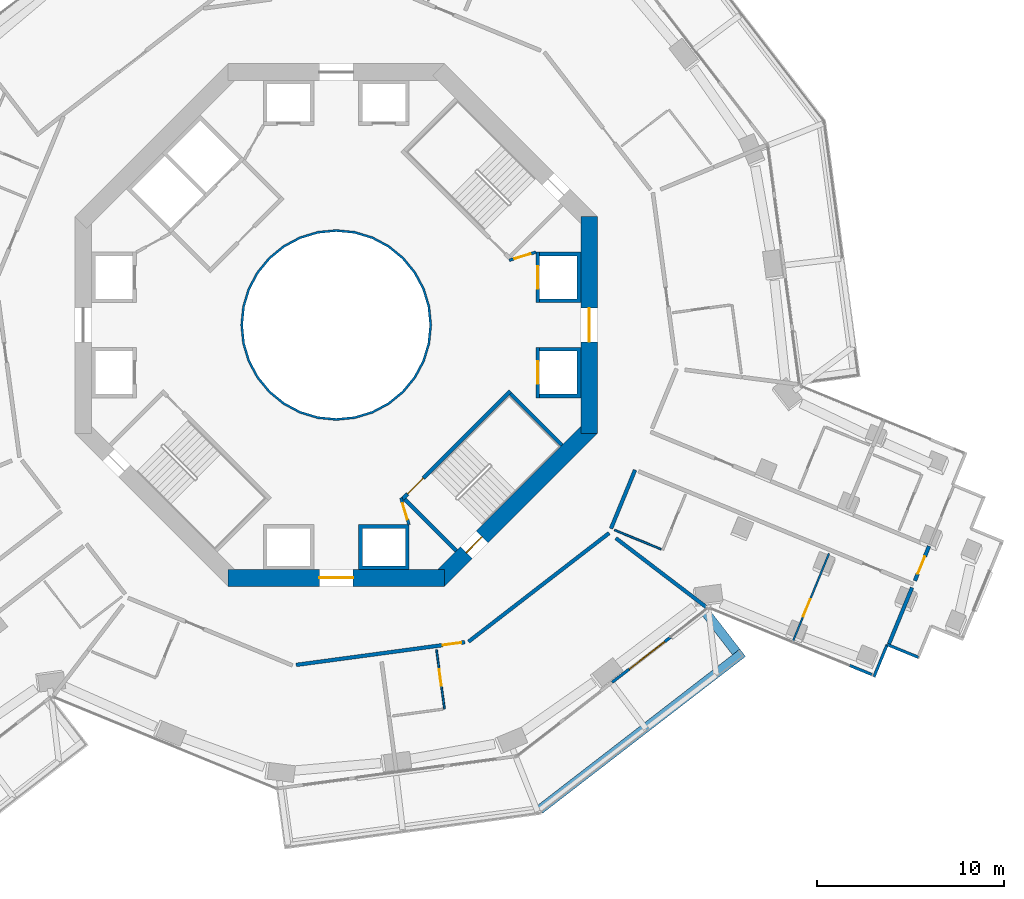
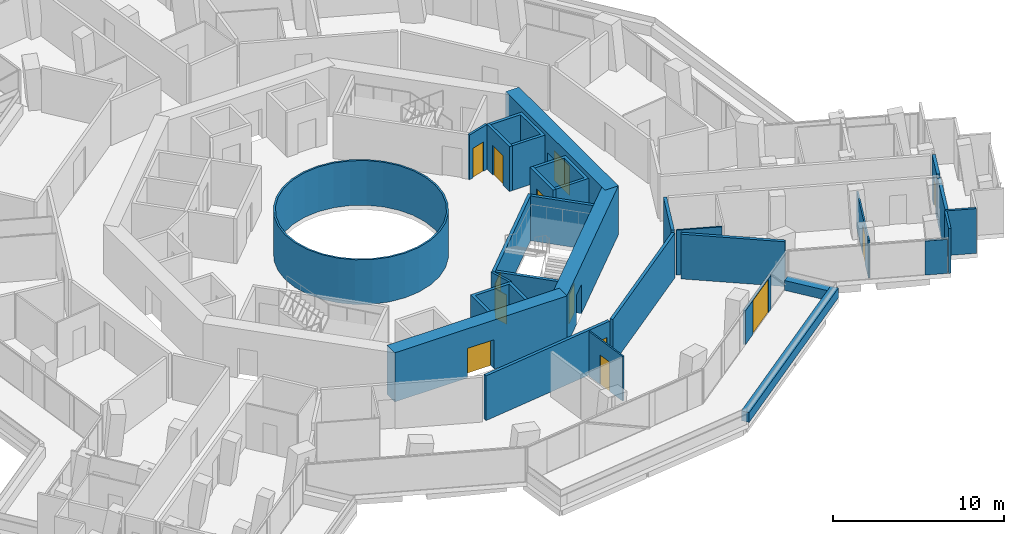
# One storey, part 20 of 27: 29 walls, 13 doors, 13 openings.
"""IFC4 building model written with IfcOpenShell, lengths in metres."""

from ifc_helpers import new_model, si_unit, direction, frame, frame_2d, origin, place, context, subcontext, project, spatial, polyline, rectangle, outline, extrude, material, layer, layer_set, type_object, element, fill, save


model = new_model("IFC4")

# Units and contexts
model_context = context("Model", 3, precision=1e-05, world=origin(), true_north=direction((0.0, 1.0)))
body_context = subcontext(model_context, "Body", "Model", "MODEL_VIEW")
ifc_project = project(units=[si_unit("LENGTHUNIT", "METRE"), si_unit("AREAUNIT", "SQUARE_METRE"), si_unit("VOLUMEUNIT", "CUBIC_METRE"), si_unit("PLANEANGLEUNIT", "RADIAN"), si_unit("MASSUNIT", "GRAM", prefix="KILO")], contexts=[model_context])

# Site, building, storey
site_placement = place(None, origin())
site = spatial("IfcSite", under=ifc_project, at=site_placement, CompositionType="ELEMENT")
building_placement = place(site_placement, origin())
building = spatial("IfcBuilding", under=site, at=building_placement, Name="Verdalira Terraces Hotel", CompositionType="ELEMENT")
storey_placement = place(building_placement, frame((0.0, 0.0, 64.5)))
storey = spatial("IfcBuildingStorey", under=building, at=storey_placement, Name="L14", CompositionType="ELEMENT", Elevation=64.5)

# Walls
ifc_material_1 = material(Name="Fire-resisting glass EI 180", Category="glass")
ifc_layer_1 = layer(ifc_material_1, 0.1201171875)
ifc_layer_set_1 = layer_set([ifc_layer_1], Name="Atrium fire screen 120 mm")
wall_type_1 = type_object("IfcWallType", Name="Atrium fire screen 120 mm", PredefinedType="SOLIDWALL", material=ifc_layer_set_1)
wall_1_placement = place(storey_placement, origin())
element("IfcWall", 1, at=wall_1_placement, inside=storey, type_object=wall_type_1, Name="Atrium fire screen", PredefinedType="SOLIDWALL", context=body_context, shape_type="SweptSolid", body=[
    extrude(outline(polyline([(5.021484, -0.998779), (4.730225, -1.959229), (4.25708, -2.844482), (3.620361, -3.620361), (2.844482, -4.25708), (1.959229, -4.730225), (0.998779, -5.021484), (0.0, -5.120117), (-0.998779, -5.021484), (-1.959229, -4.730225), (-2.844482, -4.25708), (-3.620361, -3.620361), (-4.25708, -2.844482), (-4.730225, -1.959229), (-5.021484, -0.998779), (-5.120117, 0.0), (-5.021484, 0.998779), (-4.730225, 1.959229), (-4.25708, 2.844482), (-3.620361, 3.620361), (-2.844482, 4.25708), (-1.959229, 4.730225), (-0.998779, 5.021484), (0.0, 5.120117), (0.998779, 5.021484), (1.959229, 4.730225), (2.844482, 4.25708), (3.620361, 3.620361), (4.25708, 2.844482), (4.730225, 1.959229), (5.021484, 0.998779), (5.120117, 0.0), (5.021484, -0.998779)]), holes=[polyline([(4.903809, 0.975586), (4.619385, 1.91333), (4.157227, 2.777832), (3.5354, 3.5354), (2.777832, 4.157227), (1.91333, 4.619385), (0.975586, 4.903809), (0.0, 5.0), (-0.975586, 4.903809), (-1.91333, 4.619385), (-2.777832, 4.157227), (-3.5354, 3.5354), (-4.157227, 2.777832), (-4.619385, 1.91333), (-4.903809, 0.975586), (-5.0, 0.0), (-4.903809, -0.975586), (-4.619385, -1.91333), (-4.157227, -2.777832), (-3.5354, -3.5354), (-2.777832, -4.157227), (-1.91333, -4.619385), (-0.975586, -4.903809), (0.0, -5.0), (0.975586, -4.903809), (1.91333, -4.619385), (2.777832, -4.157227), (3.5354, -3.5354), (4.157227, -2.777832), (4.619385, -1.91333), (4.903809, -0.975586), (5.0, 0.0), (4.903809, 0.975586)])]), origin(), (0.0, 0.0, 1.0), 3.189941),
])
ifc_material_2 = material(Name="Concrete C40", Category="concrete")
ifc_layer_2 = layer(ifc_material_2, 0.5)
ifc_layer_set_2 = layer_set([ifc_layer_2], Name="Balcony planter trough with tree")
wall_type_2 = type_object("IfcWallType", Name="Balcony planter trough with tree", PredefinedType="SOLIDWALL", material=ifc_layer_set_2)
wall_2_placement = place(storey_placement, frame((10.914307, -25.948975, 0.0), z_axis=(0.0, 0.0, 1.0), x_axis=(0.791434043, 0.611254575, 0.0)))
element("IfcWall", 2, at=wall_2_placement, inside=storey, type_object=wall_type_2, Name="Balcony planter", PredefinedType="SOLIDWALL", context=body_context, shape_type="SweptSolid", body=[
    extrude(rectangle(XDim=13.723389, YDim=0.5, at=frame_2d((6.861816, 0.0))), origin(), (0.0, 0.0, 1.0), 0.699951),
])
wall_3_placement = place(storey_placement, frame((21.424805, -17.515381, 0.0), z_axis=(0.0, 0.0, 1.0), x_axis=(-0.611300748, 0.791398379, 0.0)))
element("IfcWall", 3, at=wall_3_placement, inside=storey, type_object=wall_type_2, Name="Balcony planter", PredefinedType="SOLIDWALL", context=body_context, shape_type="SweptSolid", body=[
    extrude(rectangle(XDim=2.698975, YDim=0.5, at=frame_2d((1.349609, 0.0))), origin(), (0.0, 0.0, 1.0), 0.699951),
])

# Wall, opening, door
ifc_material_3 = material(Name="Moisture-resistant gypsum board partition")
ifc_layer_3 = layer(ifc_material_3, 0.10009765625)
ifc_layer_set_3 = layer_set([ifc_layer_3], Name="Bathroom partition 100 mm")
wall_type_3 = type_object("IfcWallType", Name="Bathroom partition 100 mm", PredefinedType="PARTITIONING", material=ifc_layer_set_3)
wall_4_placement = place(storey_placement, frame((5.800781, -20.567627, 0.0), z_axis=(0.0, 0.0, 1.0), x_axis=(-0.133662747, 0.991026877, 0.0)))
wall_4 = element("IfcWall", 4, at=wall_4_placement, inside=storey, type_object=wall_type_3, Name="Bathroom partition", PredefinedType="PARTITIONING", context=body_context, shape_type="SweptSolid", body=[
    extrude(rectangle(XDim=3.200195, YDim=0.100098, at=frame_2d((1.600098, 0.0))), origin(), (0.0, 0.0, 1.0), 3.189941),
])
opening_1_placement = place(wall_4_placement, frame((1.25, 0.0, 0.0)))
opening_1 = element("IfcOpeningElement", 5, at=opening_1_placement, cuts=wall_4, Name="Opening L14-123", PredefinedType="OPENING", context=body_context, shape_type="SweptSolid", body=[
    extrude(rectangle(XDim=0.899902, YDim=2.100098, at=frame_2d((0.449951, 1.050049))), frame((0.0, 0.060059, 0.0), z_axis=(0.0, -1.0, 0.0), x_axis=(1.0, 0.0, 0.0)), (0.0, 0.0, 1.0), 0.120117),
])
ifc_material_4 = material(Name="Timber door", Category="wood")
door_type_1 = type_object("IfcDoorType", Name="Bathroom door 900 x 2100", OperationType="NOTDEFINED", PredefinedType="DOOR", material=ifc_material_4)
door_1_placement = place(opening_1_placement, origin())
door_1 = element("IfcDoor", 6, at=door_1_placement, inside=storey, type_object=door_type_1, Name="Bathroom door 1410", OperationType="SINGLE_SWING_LEFT", OverallHeight=2.10009765625, OverallWidth=0.89990234375, PredefinedType="DOOR", context=body_context, shape_type="SweptSolid", body=[
    extrude(rectangle(XDim=0.899902, YDim=2.100098, at=frame_2d((0.449951, 1.050049))), frame((0.0, 0.024902, 0.0), z_axis=(0.0, -1.0, 0.0), x_axis=(1.0, 0.0, 0.0)), (0.0, 0.0, 1.0), 0.050049),
])
fill(opening_1, door_1)

# Wall
wall_5_placement = place(storey_placement, frame((14.903809, -10.98291, 0.0), z_axis=(0.0, 0.0, 1.0), x_axis=(0.925083925, -0.37976273, 0.0)))
element("IfcWall", 7, at=wall_5_placement, inside=storey, type_object=wall_type_3, Name="Bathroom partition", PredefinedType="PARTITIONING", context=body_context, shape_type="SweptSolid", body=[
    extrude(rectangle(XDim=2.700195, YDim=0.100098, at=frame_2d((1.350098, 0.0))), origin(), (0.0, 0.0, 1.0), 3.189941),
])

# Wall, opening, door
ifc_material_5 = material(Name="Moisture-resistant gypsum board partition")
ifc_layer_4 = layer(ifc_material_5, 0.10009765625)
ifc_layer_set_4 = layer_set([ifc_layer_4], Name="Bathroom partition 100 mm to beam soffit")
wall_type_4 = type_object("IfcWallType", Name="Bathroom partition 100 mm to beam soffit", PredefinedType="PARTITIONING", material=ifc_layer_set_4)
wall_6_placement = place(storey_placement, frame((24.479248, -16.914062, 0.0), z_axis=(0.0, 0.0, 1.0), x_axis=(0.379777028, 0.925078056, 0.0)))
wall_6 = element("IfcWall", 8, at=wall_6_placement, inside=storey, type_object=wall_type_4, Name="Bathroom partition", PredefinedType="PARTITIONING", context=body_context, shape_type="SweptSolid", body=[
    extrude(rectangle(XDim=5.050293, YDim=0.100098, at=frame_2d((2.525146, 0.0))), origin(), (0.0, 0.0, 1.0), 2.689941),
])
opening_2_placement = place(wall_6_placement, frame((1.399902, 0.0, 0.0)))
opening_2 = element("IfcOpeningElement", 9, at=opening_2_placement, cuts=wall_6, Name="Opening L14-125", PredefinedType="OPENING", context=body_context, shape_type="SweptSolid", body=[
    extrude(rectangle(XDim=1.0, YDim=2.100098, at=frame_2d((0.5, 1.050049))), frame((0.0, 0.060059, 0.0), z_axis=(0.0, -1.0, 0.0), x_axis=(1.0, 0.0, 0.0)), (0.0, 0.0, 1.0), 0.120117),
])
ifc_material_6 = material(Name="Timber door", Category="wood")
door_type_2 = type_object("IfcDoorType", Name="Suite internal door 1000 x 2100", OperationType="NOTDEFINED", PredefinedType="DOOR", material=ifc_material_6)
door_2_placement = place(opening_2_placement, origin())
door_2 = element("IfcDoor", 10, at=door_2_placement, inside=storey, type_object=door_type_2, Name="Suite internal door 1411", OperationType="SINGLE_SWING_LEFT", OverallHeight=2.10009765625, OverallWidth=1.0, PredefinedType="DOOR", context=body_context, shape_type="SweptSolid", body=[
    extrude(rectangle(XDim=1.0, YDim=2.100098, at=frame_2d((0.5, 1.050049))), frame((0.0, 0.024902, 0.0), z_axis=(0.0, -1.0, 0.0), x_axis=(1.0, 0.0, 0.0)), (0.0, 0.0, 1.0), 0.050049),
])
fill(opening_2, door_2)

# Wall
ifc_material_7 = material(Name="Concrete C50", Category="concrete")
ifc_layer_5 = layer(ifc_material_7, 0.199951171875)
ifc_layer_set_5 = layer_set([ifc_layer_5], Name="Core RC wall 200 C50")
wall_type_5 = type_object("IfcWallType", Name="Core RC wall 200 C50", PredefinedType="SOLIDWALL", material=ifc_layer_set_5)
wall_7_placement = place(storey_placement, origin())
element("IfcWall", 11, at=wall_7_placement, inside=storey, type_object=wall_type_5, Name="L14 shaft wall E1", PredefinedType="SOLIDWALL", context=body_context, shape_type="SweptSolid", body=[
    extrude(outline(polyline([(13.100098, -3.899902), (10.899902, -3.899902), (10.899902, -3.699951), (12.899902, -3.699951), (12.899902, -1.399902), (10.899902, -1.399902), (10.899902, -1.199951), (13.100098, -1.199951), (13.100098, -3.899902)])), origin(), (0.0, 0.0, 1.0), 3.189941),
])

# Wall, opening, door
wall_8_placement = place(storey_placement, frame((10.800049, -1.199951, 0.0), z_axis=(0.0, 0.0, 1.0), x_axis=(0.0, -1.0, 0.0)))
wall_8 = element("IfcWall", 12, at=wall_8_placement, inside=storey, type_object=wall_type_5, Name="L14 shaft front wall E1", PredefinedType="SOLIDWALL", context=body_context, shape_type="SweptSolid", body=[
    extrude(rectangle(XDim=2.699951, YDim=0.199951, at=frame_2d((1.350098, 0.0))), origin(), (0.0, 0.0, 1.0), 3.189941),
])
opening_3_placement = place(wall_8_placement, frame((0.75, 0.0, 0.0)))
opening_3 = element("IfcOpeningElement", 13, at=opening_3_placement, cuts=wall_8, Name="Opening LD-L14-801", PredefinedType="OPENING", context=body_context, shape_type="SweptSolid", body=[
    extrude(rectangle(XDim=1.199951, YDim=2.100098, at=frame_2d((0.600098, 1.050049))), frame((0.0, 0.109863, 0.0), z_axis=(0.0, -1.0, 0.0), x_axis=(1.0, 0.0, 0.0)), (0.0, 0.0, 1.0), 0.219971),
])
ifc_material_8 = material(Name="Stainless steel", Category="steel")
door_type_3 = type_object("IfcDoorType", Name="Landing door 1200 x 2100", OperationType="NOTDEFINED", PredefinedType="DOOR", material=ifc_material_8)
door_3_placement = place(opening_3_placement, origin())
door_3 = element("IfcDoor", 14, at=door_3_placement, inside=storey, type_object=door_type_3, Name="Lift landing door LR1 L14", OperationType="DOUBLE_DOOR_SLIDING", OverallHeight=2.10009765625, OverallWidth=1.199951171875, PredefinedType="DOOR", context=body_context, shape_type="SweptSolid", body=[
    extrude(rectangle(XDim=1.199951, YDim=2.100098, at=frame_2d((0.600098, 1.050049))), frame((0.0, 0.024902, 0.0), z_axis=(0.0, -1.0, 0.0), x_axis=(1.0, 0.0, 0.0)), (0.0, 0.0, 1.0), 0.050049),
])
fill(opening_3, door_3)

# Wall
wall_9_placement = place(storey_placement, origin())
element("IfcWall", 15, at=wall_9_placement, inside=storey, type_object=wall_type_5, Name="L14 shaft wall E2", PredefinedType="SOLIDWALL", context=body_context, shape_type="SweptSolid", body=[
    extrude(outline(polyline([(13.100098, 3.899902), (13.100098, 1.199951), (10.899902, 1.199951), (10.899902, 1.399902), (12.899902, 1.399902), (12.899902, 3.699951), (10.899902, 3.699951), (10.899902, 3.899902), (13.100098, 3.899902)])), origin(), (0.0, 0.0, 1.0), 3.189941),
])

# Wall, opening, door
wall_10_placement = place(storey_placement, frame((10.800049, 1.199951, 0.0), z_axis=(0.0, 0.0, 1.0), x_axis=(0.0, 1.0, 0.0)))
wall_10 = element("IfcWall", 16, at=wall_10_placement, inside=storey, type_object=wall_type_5, Name="L14 shaft front wall E2", PredefinedType="SOLIDWALL", context=body_context, shape_type="SweptSolid", body=[
    extrude(rectangle(XDim=2.699951, YDim=0.199951, at=frame_2d((1.350098, 0.0))), origin(), (0.0, 0.0, 1.0), 3.189941),
])
opening_4_placement = place(wall_10_placement, frame((0.75, 0.0, 0.0)))
opening_4 = element("IfcOpeningElement", 17, at=opening_4_placement, cuts=wall_10, Name="Opening LD-L14-802", PredefinedType="OPENING", context=body_context, shape_type="SweptSolid", body=[
    extrude(rectangle(XDim=1.199951, YDim=2.100098, at=frame_2d((0.600098, 1.050049))), frame((0.0, 0.109863, 0.0), z_axis=(0.0, -1.0, 0.0), x_axis=(1.0, 0.0, 0.0)), (0.0, 0.0, 1.0), 0.219971),
])
door_4_placement = place(opening_4_placement, origin())
door_4 = element("IfcDoor", 18, at=door_4_placement, inside=storey, type_object=door_type_3, Name="Lift landing door LR2 L14", OperationType="DOUBLE_DOOR_SLIDING", OverallHeight=2.10009765625, OverallWidth=1.199951171875, PredefinedType="DOOR", context=body_context, shape_type="SweptSolid", body=[
    extrude(rectangle(XDim=1.199951, YDim=2.100098, at=frame_2d((0.600098, 1.050049))), frame((0.0, 0.024902, 0.0), z_axis=(0.0, -1.0, 0.0), x_axis=(1.0, 0.0, 0.0)), (0.0, 0.0, 1.0), 0.050049),
])
fill(opening_4, door_4)

# Wall
wall_11_placement = place(storey_placement, origin())
element("IfcWall", 19, at=wall_11_placement, inside=storey, type_object=wall_type_5, Name="L14 shaft wall S2", PredefinedType="SOLIDWALL", context=body_context, shape_type="SweptSolid", body=[
    extrude(outline(polyline([(3.899902, -10.699951), (3.899902, -13.100098), (1.199951, -13.100098), (1.199951, -10.699951), (3.899902, -10.699951)]), holes=[polyline([(1.399902, -12.899902), (3.699951, -12.899902), (3.699951, -10.899902), (1.399902, -10.899902), (1.399902, -12.899902)])]), origin(), (0.0, 0.0, 1.0), 3.189941),
])

# Wall, opening, door
wall_12_placement = place(storey_placement, frame((9.33374, -3.5354, 0.0), z_axis=(0.0, 0.0, 1.0), x_axis=(-0.707106781, -0.707106781, 0.0)))
wall_12 = element("IfcWall", 20, at=wall_12_placement, inside=storey, type_object=wall_type_5, Name="L14 stair ST3 front wall", PredefinedType="SOLIDWALL", context=body_context, shape_type="SweptSolid", body=[
    extrude(rectangle(XDim=8.200195, YDim=0.199951, at=frame_2d((4.100098, 0.0))), origin(), (0.0, 0.0, 1.0), 3.189941),
])
opening_5_placement = place(wall_12_placement, frame((6.600098, 0.0, 0.0)))
opening_5 = element("IfcOpeningElement", 21, at=opening_5_placement, cuts=wall_12, Name="Opening L14-811", PredefinedType="OPENING", context=body_context, shape_type="SweptSolid", body=[
    extrude(rectangle(XDim=1.199951, YDim=2.100098, at=frame_2d((0.600098, 1.050049))), frame((0.0, 0.109863, 0.0), z_axis=(0.0, -1.0, 0.0), x_axis=(1.0, 0.0, 0.0)), (0.0, 0.0, 1.0), 0.219971),
])
ifc_material_9 = material(Name="Steel fire door", Category="steel")
door_type_4 = type_object("IfcDoorType", Name="Stair door 1200 x 2100", OperationType="NOTDEFINED", PredefinedType="DOOR", material=ifc_material_9)
door_5_placement = place(opening_5_placement, origin())
door_5 = element("IfcDoor", 22, at=door_5_placement, inside=storey, type_object=door_type_4, Name="Stair door ST3 L14", OperationType="SINGLE_SWING_RIGHT", OverallHeight=2.10009765625, OverallWidth=1.199951171875, PredefinedType="DOOR", context=body_context, shape_type="SweptSolid", body=[
    extrude(rectangle(XDim=1.199951, YDim=2.100098, at=frame_2d((0.600098, 1.050049))), frame((0.0, 0.024902, 0.0), z_axis=(0.0, -1.0, 0.0), x_axis=(1.0, 0.0, 0.0)), (0.0, 0.0, 1.0), 0.050049),
])
fill(opening_5, door_5)

# Walls
for number, where, z_axis, x_axis, name in (
    (23, (3.677002, -9.33374, 0.0), (0.0, 0.0, 1.0), (0.707106781, -0.707106781, 0.0), "L14 stair ST3 end wall 1"),
    (24, (9.33374, -3.677002, 0.0), (0.0, 0.0, 1.0), (0.707106781, -0.707106781, 0.0), "L14 stair ST3 end wall 2"),
):
    element("IfcWall", number, at=place(storey_placement, frame(where, z_axis=z_axis, x_axis=x_axis)), inside=storey, type_object=wall_type_5, Name=name, PredefinedType="SOLIDWALL", context=body_context, shape_type="SweptSolid", body=[
        extrude(rectangle(XDim=3.900146, YDim=0.199951, at=frame_2d((1.950195, 0.0))), origin(), (0.0, 0.0, 1.0), 3.189941),
    ])

# Wall, opening, door
ifc_material_10 = material(Name="Gypsum board partition")
ifc_layer_6 = layer(ifc_material_10, 0.14990234375)
ifc_layer_set_6 = layer_set([ifc_layer_6], Name="Core partition 150 mm")
wall_type_6 = type_object("IfcWallType", Name="Core partition 150 mm", PredefinedType="PARTITIONING", material=ifc_layer_set_6)
wall_13_placement = place(storey_placement, frame((10.699951, 3.899902, 0.0), z_axis=(0.0, 0.0, 1.0), x_axis=(-0.957084567, -0.289808785, 0.0)))
wall_13 = element("IfcWall", 25, at=wall_13_placement, inside=storey, type_object=wall_type_6, Name="Room partition L14", PredefinedType="PARTITIONING", context=body_context, shape_type="SweptSolid", body=[
    extrude(rectangle(XDim=1.501221, YDim=0.149902, at=frame_2d((0.750488, 0.0))), origin(), (0.0, 0.0, 1.0), 3.189941),
])
opening_6_placement = place(wall_13_placement, frame((0.300781, 0.0, 0.0)))
opening_6 = element("IfcOpeningElement", 26, at=opening_6_placement, cuts=wall_13, Name="Opening L14-820", PredefinedType="OPENING", context=body_context, shape_type="SweptSolid", body=[
    extrude(rectangle(XDim=0.899902, YDim=2.100098, at=frame_2d((0.449951, 1.050049))), frame((0.0, 0.084961, 0.0), z_axis=(0.0, -1.0, 0.0), x_axis=(1.0, 0.0, 0.0)), (0.0, 0.0, 1.0), 0.169922),
])
ifc_material_11 = material(Name="Steel fire door", Category="steel")
door_type_5 = type_object("IfcDoorType", Name="Core room door 900 x 2100", OperationType="NOTDEFINED", PredefinedType="DOOR", material=ifc_material_11)
door_6_placement = place(opening_6_placement, origin())
door_6 = element("IfcDoor", 27, at=door_6_placement, inside=storey, type_object=door_type_5, Name="Door L14 room0", OperationType="SINGLE_SWING_LEFT", OverallHeight=2.10009765625, OverallWidth=0.89990234375, PredefinedType="DOOR", context=body_context, shape_type="SweptSolid", body=[
    extrude(rectangle(XDim=0.899902, YDim=2.100098, at=frame_2d((0.449951, 1.050049))), frame((0.0, 0.024902, 0.0), z_axis=(0.0, -1.0, 0.0), x_axis=(1.0, 0.0, 0.0)), (0.0, 0.0, 1.0), 0.050049),
])
fill(opening_6, door_6)

wall_14_placement = place(storey_placement, frame((3.899902, -10.699951, 0.0), z_axis=(0.0, 0.0, 1.0), x_axis=(-0.289808785, 0.957084567, 0.0)))
wall_14 = element("IfcWall", 28, at=wall_14_placement, inside=storey, type_object=wall_type_6, Name="Room partition L14", PredefinedType="PARTITIONING", context=body_context, shape_type="SweptSolid", body=[
    extrude(rectangle(XDim=1.501221, YDim=0.149902, at=frame_2d((0.750488, 0.0))), origin(), (0.0, 0.0, 1.0), 3.189941),
])
opening_7_placement = place(wall_14_placement, frame((0.300781, 0.0, 0.0)))
opening_7 = element("IfcOpeningElement", 29, at=opening_7_placement, cuts=wall_14, Name="Opening L14-823", PredefinedType="OPENING", context=body_context, shape_type="SweptSolid", body=[
    extrude(rectangle(XDim=0.899902, YDim=2.100098, at=frame_2d((0.449951, 1.050049))), frame((0.0, 0.084961, 0.0), z_axis=(0.0, -1.0, 0.0), x_axis=(1.0, 0.0, 0.0)), (0.0, 0.0, 1.0), 0.169922),
])
door_7_placement = place(opening_7_placement, origin())
door_7 = element("IfcDoor", 30, at=door_7_placement, inside=storey, type_object=door_type_5, Name="Door L14 room6", OperationType="SINGLE_SWING_LEFT", OverallHeight=2.10009765625, OverallWidth=0.89990234375, PredefinedType="DOOR", context=body_context, shape_type="SweptSolid", body=[
    extrude(rectangle(XDim=0.899902, YDim=2.100098, at=frame_2d((0.449951, 1.050049))), frame((0.0, 0.024902, 0.0), z_axis=(0.0, -1.0, 0.0), x_axis=(1.0, 0.0, 0.0)), (0.0, 0.0, 1.0), 0.050049),
])
fill(opening_7, door_7)

ifc_material_12 = material(Name="Concrete C70", Category="concrete")
ifc_layer_7 = layer(ifc_material_12, 0.89990234375)
ifc_layer_set_7 = layer_set([ifc_layer_7], Name="Core wall 900 C70")
wall_type_7 = type_object("IfcWallType", Name="Core wall 900 C70", PredefinedType="SHEAR", material=ifc_layer_set_7)
wall_15_placement = place(storey_placement, frame((13.550049, -5.799072, 0.0), z_axis=(0.0, 0.0, 1.0), x_axis=(0.0, 1.0, 0.0)))
wall_15 = element("IfcWall", 31, at=wall_15_placement, inside=storey, type_object=wall_type_7, Name="Core wall CW-L14-1", PredefinedType="SHEAR", context=body_context, shape_type="SweptSolid", body=[
    extrude(rectangle(XDim=11.598145, YDim=0.899902, at=frame_2d((5.799072, 0.0))), origin(), (0.0, 0.0, 1.0), 3.5),
])
opening_8_placement = place(wall_15_placement, frame((4.898926, 0.0, 0.0)))
opening_8 = element("IfcOpeningElement", 32, at=opening_8_placement, cuts=wall_15, Name="Opening L14-812", PredefinedType="OPENING", context=body_context, shape_type="SweptSolid", body=[
    extrude(rectangle(XDim=1.800049, YDim=2.100098, at=frame_2d((0.899902, 1.050049))), frame((0.0, 0.459961, 0.0), z_axis=(0.0, -1.0, 0.0), x_axis=(1.0, 0.0, 0.0)), (0.0, 0.0, 1.0), 0.919922),
])
ifc_material_13 = material(Name="Steel fire door", Category="steel")
door_type_6 = type_object("IfcDoorType", Name="Core entry door pair 1800 x 2100", OperationType="NOTDEFINED", PredefinedType="DOOR", material=ifc_material_13)
door_8_placement = place(opening_8_placement, origin())
door_8 = element("IfcDoor", 33, at=door_8_placement, inside=storey, type_object=door_type_6, Name="Core entry door L14 0", OperationType="DOUBLE_DOOR_SINGLE_SWING", OverallHeight=2.10009765625, OverallWidth=1.800048828125, PredefinedType="DOOR", context=body_context, shape_type="SweptSolid", body=[
    extrude(rectangle(XDim=1.800049, YDim=2.100098, at=frame_2d((0.899902, 1.050049))), frame((0.0, 0.024902, 0.0), z_axis=(0.0, -1.0, 0.0), x_axis=(1.0, 0.0, 0.0)), (0.0, 0.0, 1.0), 0.050049),
])
fill(opening_8, door_8)

wall_16_placement = place(storey_placement, frame((-5.799072, -13.550049, 0.0), z_axis=(0.0, 0.0, 1.0), x_axis=(1.0, 0.0, 0.0)))
wall_16 = element("IfcWall", 34, at=wall_16_placement, inside=storey, type_object=wall_type_7, Name="Core wall CW-L14-7", PredefinedType="SHEAR", context=body_context, shape_type="SweptSolid", body=[
    extrude(rectangle(XDim=11.598145, YDim=0.899902, at=frame_2d((5.799072, 0.0))), origin(), (0.0, 0.0, 1.0), 3.5),
])
opening_9_placement = place(wall_16_placement, frame((4.898926, 0.0, 0.0)))
opening_9 = element("IfcOpeningElement", 35, at=opening_9_placement, cuts=wall_16, Name="Opening L14-815", PredefinedType="OPENING", context=body_context, shape_type="SweptSolid", body=[
    extrude(rectangle(XDim=1.800049, YDim=2.100098, at=frame_2d((0.899902, 1.050049))), frame((0.0, 0.459961, 0.0), z_axis=(0.0, -1.0, 0.0), x_axis=(1.0, 0.0, 0.0)), (0.0, 0.0, 1.0), 0.919922),
])
door_9_placement = place(opening_9_placement, origin())
door_9 = element("IfcDoor", 36, at=door_9_placement, inside=storey, type_object=door_type_6, Name="Core entry door L14 6", OperationType="DOUBLE_DOOR_SINGLE_SWING", OverallHeight=2.10009765625, OverallWidth=1.800048828125, PredefinedType="DOOR", context=body_context, shape_type="SweptSolid", body=[
    extrude(rectangle(XDim=1.800049, YDim=2.100098, at=frame_2d((0.899902, 1.050049))), frame((0.0, 0.024902, 0.0), z_axis=(0.0, -1.0, 0.0), x_axis=(1.0, 0.0, 0.0)), (0.0, 0.0, 1.0), 0.050049),
])
fill(opening_9, door_9)

wall_17_placement = place(storey_placement, frame((5.480713, -13.681885, 0.0), z_axis=(0.0, 0.0, 1.0), x_axis=(0.707106781, 0.707106781, 0.0)))
wall_17 = element("IfcWall", 37, at=wall_17_placement, inside=storey, type_object=wall_type_7, Name="Core wall CW-L14-8", PredefinedType="SHEAR", context=body_context, shape_type="SweptSolid", body=[
    extrude(rectangle(XDim=11.598145, YDim=0.899902, at=frame_2d((5.799072, 0.0))), origin(), (0.0, 0.0, 1.0), 3.5),
])
opening_10_placement = place(wall_17_placement, frame((2.099121, 0.0, 0.0)))
opening_10 = element("IfcOpeningElement", 38, at=opening_10_placement, cuts=wall_17, Name="Opening L14-818", PredefinedType="OPENING", context=body_context, shape_type="SweptSolid", body=[
    extrude(rectangle(XDim=1.199951, YDim=2.100098, at=frame_2d((0.600098, 1.050049))), frame((0.0, 0.459961, 0.0), z_axis=(0.0, -1.0, 0.0), x_axis=(1.0, 0.0, 0.0)), (0.0, 0.0, 1.0), 0.919922),
])
door_10_placement = place(opening_10_placement, origin())
door_10 = element("IfcDoor", 39, at=door_10_placement, inside=storey, type_object=door_type_4, Name="Stair exit door ST3 L14", OperationType="SINGLE_SWING_LEFT", OverallHeight=2.10009765625, OverallWidth=1.199951171875, PredefinedType="DOOR", context=body_context, shape_type="SweptSolid", body=[
    extrude(rectangle(XDim=1.199951, YDim=2.100098, at=frame_2d((0.600098, 1.050049))), frame((0.0, 0.024902, 0.0), z_axis=(0.0, -1.0, 0.0), x_axis=(1.0, 0.0, 0.0)), (0.0, 0.0, 1.0), 0.050049),
])
fill(opening_10, door_10)

# Walls
ifc_material_14 = material(Name="Fire-rated gypsum board wall")
ifc_layer_8 = layer(ifc_material_14, 0.199951171875)
ifc_layer_set_8 = layer_set([ifc_layer_8], Name="Demising wall 200 mm")
wall_type_8 = type_object("IfcWallType", Name="Demising wall 200 mm", PredefinedType="SOLIDWALL", material=ifc_layer_set_8)
wall_18_placement = place(storey_placement, frame((14.976318, -11.417236, 0.0), z_axis=(0.0, 0.0, 1.0), x_axis=(0.795264433, -0.606262717, 0.0)))
element("IfcWall", 40, at=wall_18_placement, inside=storey, type_object=wall_type_8, Name="Demising wall", PredefinedType="SOLIDWALL", context=body_context, shape_type="SweptSolid", body=[
    extrude(rectangle(XDim=6.131836, YDim=0.199951, at=frame_2d((3.065918, 0.0))), origin(), (0.0, 0.0, 1.0), 3.189941),
])
wall_19_placement = place(storey_placement, frame((30.847168, -14.069092, 0.0), z_axis=(0.0, 0.0, 1.0), x_axis=(-0.379729459, -0.925097583, 0.0)))
element("IfcWall", 41, at=wall_19_placement, inside=storey, type_object=wall_type_8, Name="Demising wall", PredefinedType="SOLIDWALL", context=body_context, shape_type="SweptSolid", body=[
    extrude(rectangle(XDim=3.25, YDim=0.199951, at=frame_2d((1.625, 0.0))), origin(), (0.0, 0.0, 1.0), 3.189941),
])

# Wall, opening, door
ifc_material_15 = material(Name="Fire-rated gypsum board wall")
ifc_layer_9 = layer(ifc_material_15, 0.199951171875)
ifc_layer_set_9 = layer_set([ifc_layer_9], Name="Guest corridor wall 200 mm")
wall_type_9 = type_object("IfcWallType", Name="Guest corridor wall 200 mm", PredefinedType="SOLIDWALL", material=ifc_layer_set_9)
wall_20_placement = place(storey_placement, frame((6.890137, -16.98999, 0.0), z_axis=(0.0, 0.0, 1.0), x_axis=(-0.991032924, -0.133617903, 0.0)))
wall_20 = element("IfcWall", 42, at=wall_20_placement, inside=storey, type_object=wall_type_9, Name="Guest corridor wall", PredefinedType="SOLIDWALL", context=body_context, shape_type="SweptSolid", body=[
    extrude(rectangle(XDim=9.115723, YDim=0.199951, at=frame_2d((4.557861, 0.0))), origin(), (0.0, 0.0, 1.0), 3.189941),
])
opening_11_placement = place(wall_20_placement, frame((0.199951, 0.0, 0.0)))
opening_11 = element("IfcOpeningElement", 43, at=opening_11_placement, cuts=wall_20, Name="Opening L14-122", PredefinedType="OPENING", context=body_context, shape_type="SweptSolid", body=[
    extrude(rectangle(XDim=1.0, YDim=2.100098, at=frame_2d((0.5, 1.050049))), frame((0.0, 0.109863, 0.0), z_axis=(0.0, -1.0, 0.0), x_axis=(1.0, 0.0, 0.0)), (0.0, 0.0, 1.0), 0.219971),
])
ifc_material_16 = material(Name="Timber fire door", Category="wood")
door_type_7 = type_object("IfcDoorType", Name="Guest entry door 1000 x 2100", OperationType="NOTDEFINED", PredefinedType="DOOR", material=ifc_material_16)
door_11_placement = place(opening_11_placement, origin())
door_11 = element("IfcDoor", 44, at=door_11_placement, inside=storey, type_object=door_type_7, Name="Guest entry door 1410", OperationType="SINGLE_SWING_LEFT", OverallHeight=2.10009765625, OverallWidth=1.0, PredefinedType="DOOR", context=body_context, shape_type="SweptSolid", body=[
    extrude(rectangle(XDim=1.0, YDim=2.100098, at=frame_2d((0.5, 1.050049))), frame((0.0, 0.024902, 0.0), z_axis=(0.0, -1.0, 0.0), x_axis=(1.0, 0.0, 0.0)), (0.0, 0.0, 1.0), 0.050049),
])
fill(opening_11, door_11)

# Walls
wall_21_placement = place(storey_placement, frame((7.089355, -16.962891, 0.0), z_axis=(0.0, 0.0, 1.0), x_axis=(0.791422652, 0.611269324, 0.0)))
element("IfcWall", 45, at=wall_21_placement, inside=storey, type_object=wall_type_9, Name="Guest corridor wall", PredefinedType="SOLIDWALL", context=body_context, shape_type="SweptSolid", body=[
    extrude(rectangle(XDim=9.516113, YDim=0.199951, at=frame_2d((4.758057, 0.0))), origin(), (0.0, 0.0, 1.0), 3.189941),
])
wall_22_placement = place(storey_placement, frame((14.71875, -10.906982, 0.0), z_axis=(0.0, 0.0, 1.0), x_axis=(0.379781703, 0.925076136, 0.0)))
element("IfcWall", 46, at=wall_22_placement, inside=storey, type_object=wall_type_9, Name="Guest corridor wall", PredefinedType="SOLIDWALL", context=body_context, shape_type="SweptSolid", body=[
    extrude(rectangle(XDim=3.399902, YDim=0.199951, at=frame_2d((1.699951, 0.0))), origin(), (0.0, 0.0, 1.0), 3.189941),
])

# Wall, opening, door
wall_23_placement = place(storey_placement, frame((31.759521, -11.847168, 0.0), z_axis=(0.0, 0.0, 1.0), x_axis=(-0.379818342, -0.925061094, 0.0)))
wall_23 = element("IfcWall", 47, at=wall_23_placement, inside=storey, type_object=wall_type_9, Name="Guest corridor wall", PredefinedType="SOLIDWALL", context=body_context, shape_type="SweptSolid", body=[
    extrude(rectangle(XDim=2.00415, YDim=0.199951, at=frame_2d((1.001953, 0.0))), origin(), (0.0, 0.0, 1.0), 3.189941),
])
opening_12_placement = place(wall_23_placement, frame((0.600098, 0.0, 0.0)))
opening_12 = element("IfcOpeningElement", 48, at=opening_12_placement, cuts=wall_23, Name="Opening L14-127", PredefinedType="OPENING", context=body_context, shape_type="SweptSolid", body=[
    extrude(rectangle(XDim=1.0, YDim=2.100098, at=frame_2d((0.5, 1.050049))), frame((0.0, 0.109863, 0.0), z_axis=(0.0, -1.0, 0.0), x_axis=(1.0, 0.0, 0.0)), (0.0, 0.0, 1.0), 0.219971),
])
door_12_placement = place(opening_12_placement, origin())
door_12 = element("IfcDoor", 49, at=door_12_placement, inside=storey, type_object=door_type_7, Name="Guest entry door 1412", OperationType="SINGLE_SWING_LEFT", OverallHeight=2.10009765625, OverallWidth=1.0, PredefinedType="DOOR", context=body_context, shape_type="SweptSolid", body=[
    extrude(rectangle(XDim=1.0, YDim=2.100098, at=frame_2d((0.5, 1.050049))), frame((0.0, 0.024902, 0.0), z_axis=(0.0, -1.0, 0.0), x_axis=(1.0, 0.0, 0.0)), (0.0, 0.0, 1.0), 0.050049),
])
fill(opening_12, door_12)

# Walls
ifc_material_17 = material(Name="Terracotta cladding", Category="masonry")
ifc_layer_10 = layer(ifc_material_17, 0.14990234375)
ifc_layer_set_10 = layer_set([ifc_layer_10], Name="Terracotta clad wall 150")
wall_type_10 = type_object("IfcWallType", Name="Terracotta clad wall 150", PredefinedType="SOLIDWALL", material=ifc_layer_set_10)
wall_24_placement = place(storey_placement, frame((28.802979, -18.851074, 0.0), z_axis=(0.0, 0.0, 1.0), x_axis=(0.379839266, 0.925052502, 0.0)))
element("IfcWall", 50, at=wall_24_placement, inside=storey, type_object=wall_type_10, Name="Terracotta cladding wall", PredefinedType="SOLIDWALL", context=body_context, shape_type="SweptSolid", body=[
    extrude(rectangle(XDim=1.875, YDim=0.149902, at=frame_2d((0.9375, 0.0))), origin(), (0.0, 0.0, 1.0), 3.189941),
])
wall_25_placement = place(storey_placement, frame((29.515137, -17.116699, 0.0), z_axis=(0.0, 0.0, 1.0), x_axis=(0.925070884, -0.379794498, 0.0)))
element("IfcWall", 51, at=wall_25_placement, inside=storey, type_object=wall_type_10, Name="Terracotta cladding wall", PredefinedType="SOLIDWALL", context=body_context, shape_type="SweptSolid", body=[
    extrude(rectangle(XDim=1.799805, YDim=0.149902, at=frame_2d((0.899902, 0.0))), origin(), (0.0, 0.0, 1.0), 3.189941),
])
ifc_material_18 = material(Name="Terracotta cladding", Category="masonry")
ifc_layer_11 = layer(ifc_material_18, 0.14990234375)
ifc_layer_set_11 = layer_set([ifc_layer_11], Name="Terracotta column pier 150")
wall_type_11 = type_object("IfcWallType", Name="Terracotta column pier 150", PredefinedType="SOLIDWALL", material=ifc_layer_set_11)
wall_26_placement = place(storey_placement, frame((27.489502, -18.230957, 0.0), z_axis=(0.0, 0.0, 1.0), x_axis=(0.925072618, -0.379790274, 0.0)))
element("IfcWall", 52, at=wall_26_placement, inside=storey, type_object=wall_type_11, Name="Terracotta column pier", PredefinedType="SOLIDWALL", context=body_context, shape_type="SweptSolid", body=[
    extrude(rectangle(XDim=1.305664, YDim=0.149902, at=frame_2d((0.652832, 0.0))), origin(), (0.0, 0.0, 1.0), 2.425049),
])

# Wall, opening, door
ifc_material_19 = material(Name="Terracotta cladding", Category="masonry")
ifc_layer_12 = layer(ifc_material_19, 0.14990234375)
ifc_layer_set_12 = layer_set([ifc_layer_12], Name="Terracotta door pier 150")
wall_type_12 = type_object("IfcWallType", Name="Terracotta door pier 150", PredefinedType="SOLIDWALL", material=ifc_layer_set_12)
wall_27_placement = place(storey_placement, frame((14.781982, -19.139648, 0.0), z_axis=(0.0, 0.0, 1.0), x_axis=(0.791435457, 0.611252745, 0.0)))
wall_27 = element("IfcWall", 53, at=wall_27_placement, inside=storey, type_object=wall_type_12, Name="Terracotta door pier", PredefinedType="SOLIDWALL", context=body_context, shape_type="SweptSolid", body=[
    extrude(rectangle(XDim=3.960449, YDim=0.149902, at=frame_2d((1.980225, 0.0))), origin(), (0.0, 0.0, 1.0), 2.425049),
])
opening_13_placement = place(wall_27_placement, frame((1.1604, 0.0, 0.0)))
opening_13 = element("IfcOpeningElement", 54, at=opening_13_placement, cuts=wall_27, Name="Opening L14-B17", PredefinedType="OPENING", context=body_context, shape_type="SweptSolid", body=[
    extrude(rectangle(XDim=2.399902, YDim=2.399902, at=frame_2d((1.199951, 1.199951))), frame((0.0, 0.084961, 0.0), z_axis=(0.0, -1.0, 0.0), x_axis=(1.0, 0.0, 0.0)), (0.0, 0.0, 1.0), 0.169922),
])
ifc_material_20 = material(Name="Clear glass", Category="glass")
door_type_8 = type_object("IfcDoorType", Name="Balcony sliding door 2400x2400", OperationType="NOTDEFINED", PredefinedType="DOOR", material=ifc_material_20)
door_13_placement = place(opening_13_placement, origin())
door_13 = element("IfcDoor", 55, at=door_13_placement, inside=storey, type_object=door_type_8, Name="Balcony sliding door", OperationType="SLIDING_TO_LEFT", OverallHeight=2.39990234375, OverallWidth=2.39990234375, PredefinedType="DOOR", context=body_context, shape_type="SweptSolid", body=[
    extrude(rectangle(XDim=2.399902, YDim=2.399902, at=frame_2d((1.199951, 1.199951))), frame((0.0, 0.024902, 0.0), z_axis=(0.0, -1.0, 0.0), x_axis=(1.0, 0.0, 0.0)), (0.0, 0.0, 1.0), 0.050049),
])
fill(opening_13, door_13)

save(model, "model.ifc")
